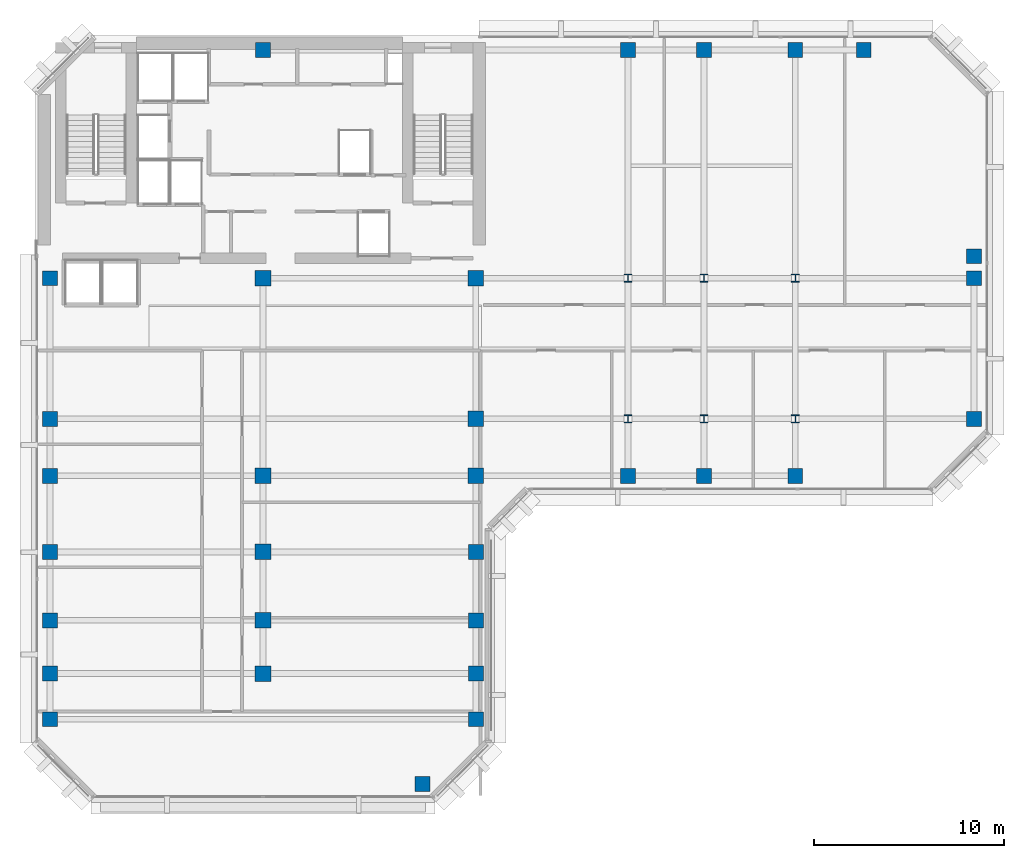
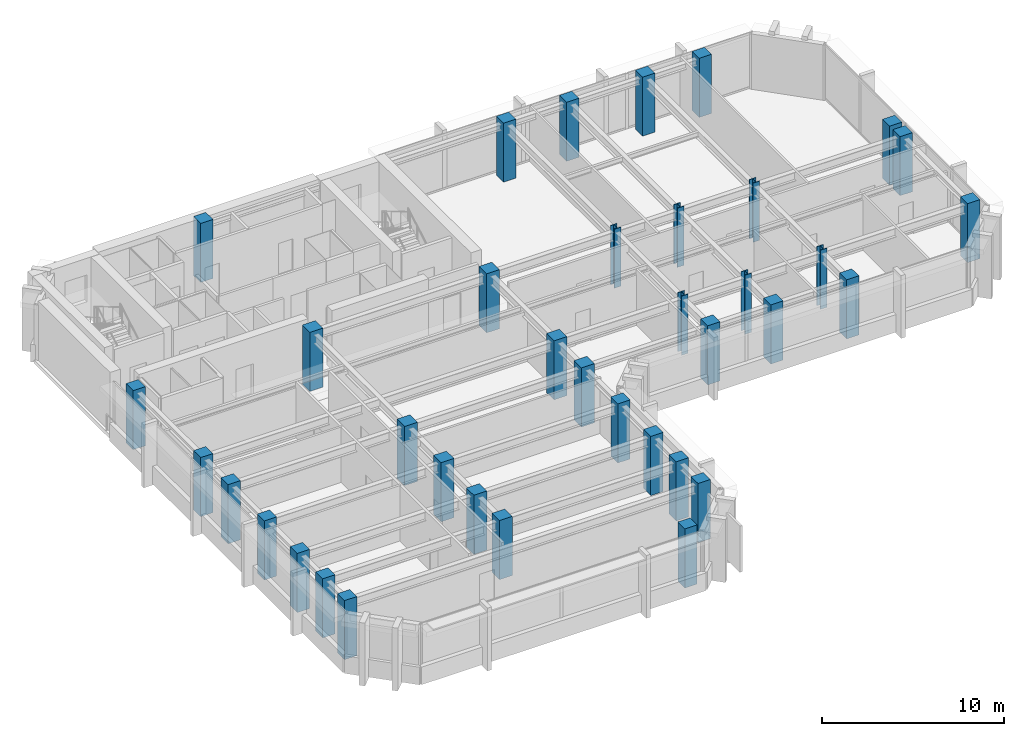
# One storey, part 1 of 12: 37 columns.
"""IFC4 building model written with IfcOpenShell, lengths in metres."""

from ifc_helpers import new_model, si_unit, direction, frame, origin, origin_2d, place, context, subcontext, project, spatial, rectangle, i_section, extrude, material, material_profile, profile_set, type_object, element, save


model = new_model("IFC4")

# Units and contexts
model_context = context("Model", 3, precision=1e-05, world=origin(), true_north=direction((0.0, 1.0)))
body_context = subcontext(model_context, "Body", "Model", "MODEL_VIEW")
ifc_project = project(units=[si_unit("LENGTHUNIT", "METRE"), si_unit("AREAUNIT", "SQUARE_METRE"), si_unit("VOLUMEUNIT", "CUBIC_METRE"), si_unit("PLANEANGLEUNIT", "RADIAN"), si_unit("MASSUNIT", "GRAM", prefix="KILO")], contexts=[model_context])

# Site, building, storey
site_placement = place(None, origin())
site = spatial("IfcSite", under=ifc_project, at=site_placement, CompositionType="ELEMENT")
building_placement = place(site_placement, origin())
building = spatial("IfcBuilding", under=site, at=building_placement, Name="Kefirva Bronze Tower", CompositionType="ELEMENT")
storey_placement = place(building_placement, frame((0.0, 0.0, 260.3701171875)))
storey = spatial("IfcBuildingStorey", under=building, at=storey_placement, Name="L63", CompositionType="ELEMENT", Elevation=260.3701171875)

# Columns
ifc_material_1 = material(Name="Concrete C50/60", Category="concrete")
ifc_material_profile_1 = material_profile(ifc_material_1, rectangle(XDim=0.780029296875, YDim=0.780029296875, at=origin_2d()), Name="RC 780x780")
ifc_profile_set_1 = profile_set([ifc_material_profile_1], Name="Concrete C50/60")
column_type_1 = type_object("IfcColumnType", Name="RC Column 780x780 Ext", PredefinedType="COLUMN", material=ifc_profile_set_1)
for number, where, z_axis, x_axis, name in (
    (1, (0.800048828125, 10.0, 0.0), (0.0, 0.0, 1.0), (1.0, 0.0, 0.0), "L63 Column C008_100"),
    (2, (0.800048828125, 12.39990234375, 0.0), (0.0, 0.0, 1.0), (1.0, 0.0, 0.0), "L63 Column C008_124"),
    (3, (0.800048828125, 15.199951171875, 0.0), (0.0, 0.0, 1.0), (1.0, 0.0, 0.0), "L63 Column C008_152"),
    (4, (0.800048828125, 18.800048828125, 0.0), (0.0, 0.0, 1.0), (1.0, 0.0, 0.0), "L63 Column C008_188"),
    (5, (0.800048828125, 22.800048828125, 0.0), (0.0, 0.0, 1.0), (1.0, 0.0, 0.0), "L63 Column C008_228"),
    (6, (0.800048828125, 25.800048828125, 0.0), (0.0, 0.0, 1.0), (1.0, 0.0, 0.0), "L63 Column C008_258"),
    (7, (0.800048828125, 33.199951171875, 0.0), (0.0, 0.0, 1.0), (1.0, 0.0, 0.0), "L63 Column C008_332"),
    (8, (12.0, 45.199951171875, 0.0), (0.0, 0.0, 1.0), (1.0, 0.0, 0.0), "L63 Column C120_452"),
    (9, (20.39990234375, 6.60009765625, 0.0), (0.0, 0.0, 1.0), (1.0, 0.0, 0.0), "L63 Column C204_066"),
    (10, (23.199951171875, 10.0, 0.0), (0.0, 0.0, 1.0), (1.0, 0.0, 0.0), "L63 Column C232_100"),
    (11, (23.199951171875, 12.39990234375, 0.0), (0.0, 0.0, 1.0), (1.0, 0.0, 0.0), "L63 Column C232_124"),
    (12, (23.199951171875, 15.199951171875, 0.0), (0.0, 0.0, 1.0), (1.0, 0.0, 0.0), "L63 Column C232_152"),
    (13, (23.199951171875, 18.800048828125, 0.0), (0.0, 0.0, 1.0), (1.0, 0.0, 0.0), "L63 Column C232_188"),
    (14, (31.199951171875, 22.800048828125, 0.0), (0.0, 0.0, 1.0), (1.0, 0.0, 0.0), "L63 Column C312_228"),
    (15, (31.199951171875, 45.199951171875, 0.0), (0.0, 0.0, 1.0), (1.0, 0.0, 0.0), "L63 Column C312_452"),
    (16, (35.199951171875, 22.800048828125, 0.0), (0.0, 0.0, 1.0), (1.0, 0.0, 0.0), "L63 Column C352_228"),
    (17, (35.199951171875, 45.199951171875, 0.0), (0.0, 0.0, 1.0), (1.0, 0.0, 0.0), "L63 Column C352_452"),
    (18, (40.0, 22.800048828125, 0.0), (0.0, 0.0, 1.0), (1.0, 0.0, 0.0), "L63 Column C400_228"),
    (19, (40.0, 45.199951171875, 0.0), (0.0, 0.0, 1.0), (1.0, 0.0, 0.0), "L63 Column C400_452"),
    (20, (43.60009765625, 45.199951171875, 0.0), (0.0, 0.0, 1.0), (1.0, 0.0, 0.0), "L63 Column C436_452"),
    (21, (49.39990234375, 25.800048828125, 0.0), (0.0, 0.0, 1.0), (1.0, 0.0, 0.0), "L63 Column C494_258"),
    (22, (49.39990234375, 33.199951171875, 0.0), (0.0, 0.0, 1.0), (1.0, 0.0, 0.0), "L63 Column C494_332"),
    (23, (49.39990234375, 34.35009765625, 0.0), (0.0, 0.0, 1.0), (1.0, 0.0, 0.0), "L63 Column C494_344"),
):
    element("IfcColumn", number, at=place(storey_placement, frame(where, z_axis=z_axis, x_axis=x_axis)), inside=storey, type_object=column_type_1, Name=name, PredefinedType="COLUMN", context=body_context, shape_type="SweptSolid", body=[
        extrude(rectangle(XDim=0.780029296875, YDim=0.780029296875, at=origin_2d()), origin(), (0.0, 0.0, 1.0), 3.9599609375),
    ])
ifc_material_profile_2 = material_profile(ifc_material_1, rectangle(XDim=0.820068359375, YDim=0.820068359375, at=origin_2d()), Name="RC 820x820")
ifc_profile_set_2 = profile_set([ifc_material_profile_2], Name="Concrete C50/60")
column_type_2 = type_object("IfcColumnType", Name="RC Column 820x820 Int", PredefinedType="COLUMN", material=ifc_profile_set_2)
for number, where, z_axis, x_axis, name in (
    (24, (12.0, 12.39990234375, 0.0), (0.0, 0.0, 1.0), (1.0, 0.0, 0.0), "L63 Column C120_124"),
    (25, (12.0, 15.199951171875, 0.0), (0.0, 0.0, 1.0), (1.0, 0.0, 0.0), "L63 Column C120_152"),
    (26, (12.0, 18.800048828125, 0.0), (0.0, 0.0, 1.0), (1.0, 0.0, 0.0), "L63 Column C120_188"),
    (27, (12.0, 22.800048828125, 0.0), (0.0, 0.0, 1.0), (1.0, 0.0, 0.0), "L63 Column C120_228"),
    (28, (12.0, 33.199951171875, 0.0), (0.0, 0.0, 1.0), (1.0, 0.0, 0.0), "L63 Column C120_332"),
    (29, (23.199951171875, 22.800048828125, 0.0), (0.0, 0.0, 1.0), (1.0, 0.0, 0.0), "L63 Column C232_228"),
    (30, (23.199951171875, 25.800048828125, 0.0), (0.0, 0.0, 1.0), (1.0, 0.0, 0.0), "L63 Column C232_258"),
    (31, (23.199951171875, 33.199951171875, 0.0), (0.0, 0.0, 1.0), (1.0, 0.0, 0.0), "L63 Column C232_332"),
):
    element("IfcColumn", number, at=place(storey_placement, frame(where, z_axis=z_axis, x_axis=x_axis)), inside=storey, type_object=column_type_2, Name=name, PredefinedType="COLUMN", context=body_context, shape_type="SweptSolid", body=[
        extrude(rectangle(XDim=0.820068359375, YDim=0.820068359375, at=origin_2d()), origin(), (0.0, 0.0, 1.0), 3.9599609375),
    ])
ifc_material_2 = material(Name="Steel S460", Category="steel")
ifc_material_profile_3 = material_profile(ifc_material_2, i_section(OverallWidth=0.412109375, OverallDepth=0.43505859375, WebThickness=0.027099609375, FlangeThickness=0.04296875, at=origin_2d()), Name="HD 400x463")
ifc_profile_set_3 = profile_set([ifc_material_profile_3], Name="Steel S460")
column_type_3 = type_object("IfcColumnType", Name="Steel Column HD 400x463", PredefinedType="COLUMN", material=ifc_profile_set_3)
for number, where, z_axis, x_axis, name in (
    (32, (31.199951171875, 25.800048828125, 0.0), (0.0, 0.0, 1.0), (1.0, 0.0, 0.0), "L63 Column C312_258"),
    (33, (31.199951171875, 33.199951171875, 0.0), (0.0, 0.0, 1.0), (1.0, 0.0, 0.0), "L63 Column C312_332"),
    (34, (35.199951171875, 25.800048828125, 0.0), (0.0, 0.0, 1.0), (1.0, 0.0, 0.0), "L63 Column C352_258"),
    (35, (35.199951171875, 33.199951171875, 0.0), (0.0, 0.0, 1.0), (1.0, 0.0, 0.0), "L63 Column C352_332"),
    (36, (40.0, 25.800048828125, 0.0), (0.0, 0.0, 1.0), (1.0, 0.0, 0.0), "L63 Column C400_258"),
    (37, (40.0, 33.199951171875, 0.0), (0.0, 0.0, 1.0), (1.0, 0.0, 0.0), "L63 Column C400_332"),
):
    element("IfcColumn", number, at=place(storey_placement, frame(where, z_axis=z_axis, x_axis=x_axis)), inside=storey, type_object=column_type_3, Name=name, PredefinedType="COLUMN", context=body_context, shape_type="SweptSolid", body=[
        extrude(i_section(OverallWidth=0.412109375, OverallDepth=0.43505859375, WebThickness=0.027099609375, FlangeThickness=0.04296875, at=origin_2d()), origin(), (0.0, 0.0, 1.0), 3.9599609375),
    ])

save(model, "model.ifc")
